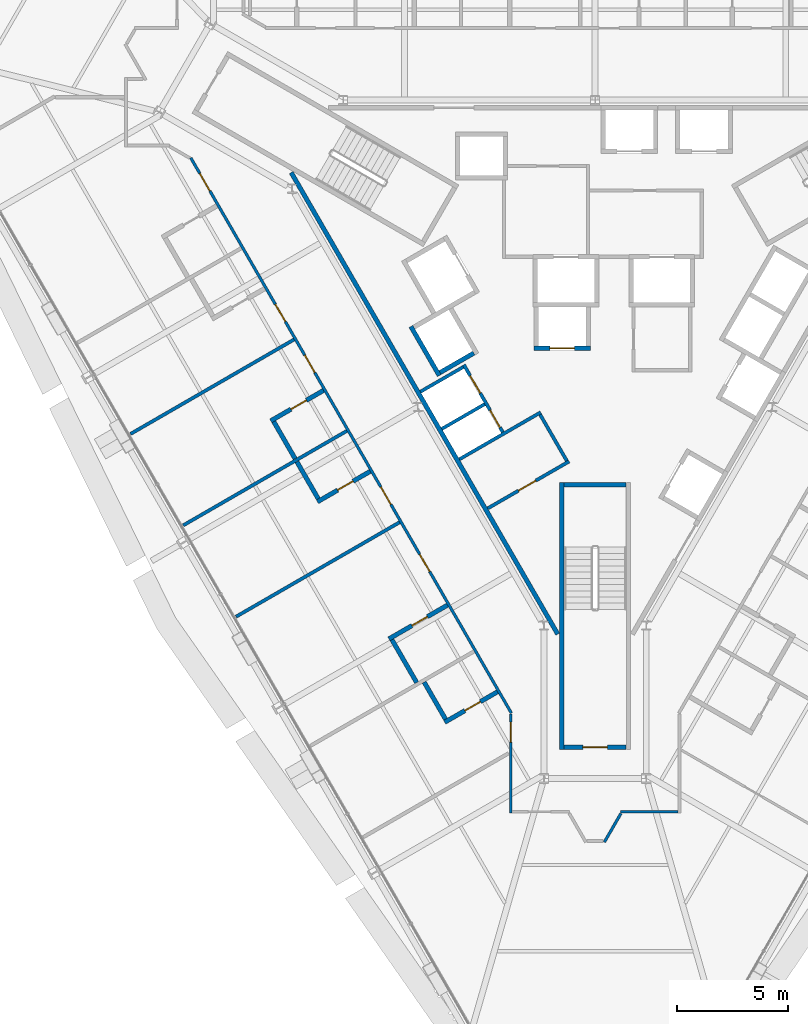
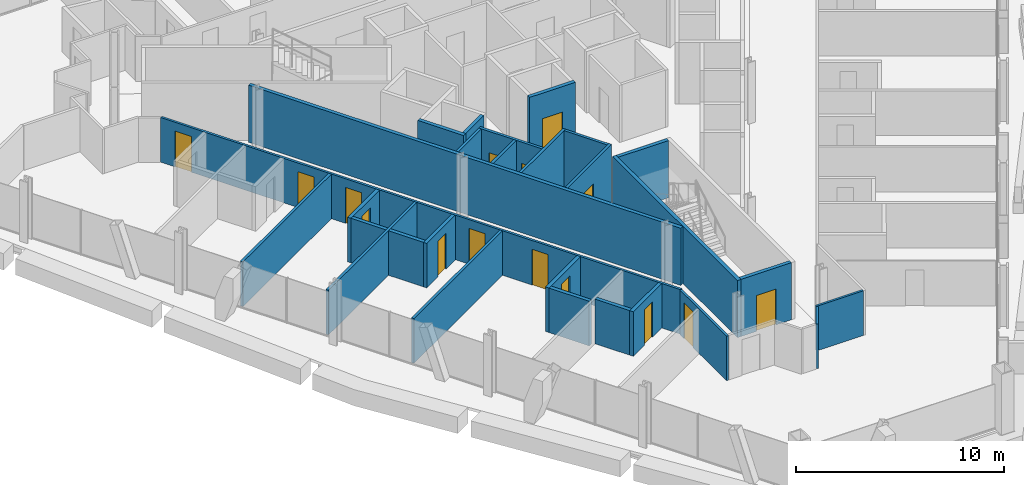
# One storey, part 13 of 20: 28 walls, 15 doors, 15 openings.
"""IFC4 building model written with IfcOpenShell, lengths in metres."""

from ifc_helpers import new_model, si_unit, direction, frame, frame_2d, origin, place, context, subcontext, project, spatial, rectangle, extrude, material, layer, layer_set, type_object, element, fill, save


model = new_model("IFC4")

# Units and contexts
model_context = context("Model", 3, precision=1e-05, world=origin(), true_north=direction((0.0, 1.0)))
body_context = subcontext(model_context, "Body", "Model", "MODEL_VIEW")
ifc_project = project(units=[si_unit("LENGTHUNIT", "METRE"), si_unit("AREAUNIT", "SQUARE_METRE"), si_unit("VOLUMEUNIT", "CUBIC_METRE"), si_unit("PLANEANGLEUNIT", "RADIAN"), si_unit("MASSUNIT", "GRAM", prefix="KILO")], contexts=[model_context])

# Site, building, storey
site_placement = place(None, origin())
site = spatial("IfcSite", under=ifc_project, at=site_placement, CompositionType="ELEMENT")
building_placement = place(site_placement, origin())
building = spatial("IfcBuilding", under=site, at=building_placement, Name="Verrane Prism Tower", CompositionType="ELEMENT")
storey_placement = place(building_placement, frame((0.0, 0.0, 69.199951171875)))
storey = spatial("IfcBuildingStorey", under=building, at=storey_placement, Name="L15", CompositionType="ELEMENT", Elevation=69.199951171875)

# Wall
ifc_material_1 = material(Name="Gypsum board partition", Category="other")
ifc_layer_1 = layer(ifc_material_1, 0.199951171875)
ifc_layer_set_1 = layer_set([ifc_layer_1], Name="CW-200 core boundary wall 2 h")
wall_type_1 = type_object("IfcWallType", Name="CW-200 core boundary wall 2 h", PredefinedType="PARTITIONING", material=ifc_layer_set_1)
wall_1_placement = place(storey_placement, frame((-13.66357421875, 5.946044921875, 0.0), z_axis=(0.0, 0.0, 1.0), x_axis=(0.499994327219, -0.866028678941, 0.0)))
element("IfcWall", 1, at=wall_1_placement, inside=storey, type_object=wall_type_1, Name="Core boundary wall CW3-001", PredefinedType="PARTITIONING", context=body_context, shape_type="SweptSolid", body=[
    extrude(rectangle(XDim=23.967529296875, YDim=0.199951171875, at=frame_2d((11.98388671875, 0.0))), origin(), (0.0, 0.0, 1.0), 3.35009765625),
])

# Wall, opening, door
ifc_material_2 = material(Name="Concrete C40/50", Category="concrete")
ifc_layer_2 = layer(ifc_material_2, 0.199951171875)
ifc_layer_set_2 = layer_set([ifc_layer_2], Name="CW-200 stair core wall concrete C40/50 3 h")
wall_type_2 = type_object("IfcWallType", Name="CW-200 stair core wall concrete C40/50 3 h", PredefinedType="PARTITIONING", material=ifc_layer_set_2)
wall_2_placement = place(storey_placement, frame((-1.39990234375, -19.89990234375, 0.0), z_axis=(0.0, 0.0, 1.0), x_axis=(1.0, 0.0, 0.0)))
wall_2 = element("IfcWall", 2, at=wall_2_placement, inside=storey, type_object=wall_type_2, Name="Stair 3 enclosure wall", PredefinedType="PARTITIONING", context=body_context, shape_type="SweptSolid", body=[
    extrude(rectangle(XDim=2.7998046875, YDim=0.199951171875, at=frame_2d((1.39990234375, 0.0))), origin(), (0.0, 0.0, 1.0), 3.35009765625),
])
opening_1_placement = place(wall_2_placement, frame((0.85009765625, 0.0, 0.0)))
opening_1 = element("IfcOpeningElement", 3, at=opening_1_placement, cuts=wall_2, Name="Opening D14502", PredefinedType="OPENING", context=body_context, shape_type="SweptSolid", body=[
    extrude(rectangle(XDim=1.10009765625, YDim=2.10009765625, at=frame_2d((0.550048828125, 1.050048828125))), frame((0.0, 0.10986328125, 0.0), z_axis=(0.0, -1.0, 0.0), x_axis=(1.0, 0.0, 0.0)), (0.0, 0.0, 1.0), 0.219970703125),
])
ifc_material_3 = material(Name="Timber veneered door leaf", Category="wood")
door_type_1 = type_object("IfcDoorType", Name="DR-1100x2100 FD90 single leaf stair", OperationType="NOTDEFINED", PredefinedType="DOOR", material=ifc_material_3)
door_1_placement = place(opening_1_placement, origin())
door_1 = element("IfcDoor", 4, at=door_1_placement, inside=storey, type_object=door_type_1, Name="Stair 3 door", OperationType="SINGLE_SWING_LEFT", OverallHeight=2.10009765625, OverallWidth=1.10009765625, PredefinedType="DOOR", context=body_context, shape_type="SweptSolid", body=[
    extrude(rectangle(XDim=1.10009765625, YDim=2.10009765625, at=frame_2d((0.550048828125, 1.050048828125))), frame((0.0, 0.02490234375, 0.0), z_axis=(0.0, -1.0, 0.0), x_axis=(1.0, 0.0, 0.0)), (0.0, 0.0, 1.0), 0.050048828125),
])
fill(opening_1, door_1)

# Walls
wall_3_placement = place(storey_placement, frame((-1.5, -8.0, 0.0), z_axis=(0.0, 0.0, 1.0), x_axis=(0.0, -1.0, 0.0)))
element("IfcWall", 5, at=wall_3_placement, inside=storey, type_object=wall_type_2, Name="Stair 3 enclosure wall", PredefinedType="PARTITIONING", context=body_context, shape_type="SweptSolid", body=[
    extrude(rectangle(XDim=12.0, YDim=0.199951171875, at=frame_2d((6.0, 0.0))), origin(), (0.0, 0.0, 1.0), 3.35009765625),
])
wall_4_placement = place(storey_placement, frame((-1.39990234375, -8.10009765625, 0.0), z_axis=(0.0, 0.0, 1.0), x_axis=(1.0, 0.0, 0.0)))
element("IfcWall", 6, at=wall_4_placement, inside=storey, type_object=wall_type_2, Name="Stair 3 enclosure wall", PredefinedType="PARTITIONING", context=body_context, shape_type="SweptSolid", body=[
    extrude(rectangle(XDim=2.7998046875, YDim=0.199951171875, at=frame_2d((1.39990234375, 0.0))), origin(), (0.0, 0.0, 1.0), 3.35009765625),
])

# Wall, opening, door
ifc_material_4 = material(Name="Gypsum board shaft wall assembly", Category="other")
ifc_layer_3 = layer(ifc_material_4, 0.199951171875)
ifc_layer_set_3 = layer_set([ifc_layer_3], Name="HW-200 lift shaft wall 2 h")
wall_type_3 = type_object("IfcWallType", Name="HW-200 lift shaft wall 2 h", PredefinedType="PARTITIONING", material=ifc_layer_set_3)
wall_5_placement = place(storey_placement, frame((-2.7548828125, -1.949951171875, 0.0), z_axis=(0.0, 0.0, 1.0), x_axis=(1.0, 0.0, 0.0)))
wall_5 = element("IfcWall", 7, at=wall_5_placement, inside=storey, type_object=wall_type_3, Name="Lift shaft wall", PredefinedType="PARTITIONING", context=body_context, shape_type="SweptSolid", body=[
    extrude(rectangle(XDim=2.5498046875, YDim=0.199951171875, at=frame_2d((1.27490234375, 0.0))), origin(), (0.0, 0.0, 1.0), 3.60009765625),
])
opening_2_placement = place(wall_5_placement, frame((0.72509765625, 0.0, 0.0)))
opening_2 = element("IfcOpeningElement", 8, at=opening_2_placement, cuts=wall_5, Name="Opening D14504", PredefinedType="OPENING", context=body_context, shape_type="SweptSolid", body=[
    extrude(rectangle(XDim=1.10009765625, YDim=2.10009765625, at=frame_2d((0.550048828125, 1.050048828125))), frame((0.0, 0.10986328125, 0.0), z_axis=(0.0, -1.0, 0.0), x_axis=(1.0, 0.0, 0.0)), (0.0, 0.0, 1.0), 0.219970703125),
])
ifc_material_5 = material(Name="Stainless steel sliding landing door", Category="steel")
door_type_2 = type_object("IfcDoorType", Name="LD-1100x2100 lift landing door FD90 sliding", OperationType="NOTDEFINED", PredefinedType="DOOR", material=ifc_material_5)
door_2_placement = place(opening_2_placement, origin())
door_2 = element("IfcDoor", 9, at=door_2_placement, inside=storey, type_object=door_type_2, Name="Bank A lift 2 landing door", OperationType="SLIDING_TO_RIGHT", OverallHeight=2.10009765625, OverallWidth=1.10009765625, PredefinedType="DOOR", context=body_context, shape_type="SweptSolid", body=[
    extrude(rectangle(XDim=1.10009765625, YDim=2.10009765625, at=frame_2d((0.550048828125, 1.050048828125))), frame((0.0, 0.02490234375, 0.0), z_axis=(0.0, -1.0, 0.0), x_axis=(1.0, 0.0, 0.0)), (0.0, 0.0, 1.0), 0.050048828125),
])
fill(opening_2, door_2)

# Walls
wall_6_placement = place(storey_placement, frame((-6.9697265625, -3.048095703125, 0.0), z_axis=(0.0, 0.0, 1.0), x_axis=(0.866036909293, 0.499980071345, 0.0)))
element("IfcWall", 10, at=wall_6_placement, inside=storey, type_object=wall_type_3, Name="Lift shaft wall", PredefinedType="PARTITIONING", context=body_context, shape_type="SweptSolid", body=[
    extrude(rectangle(XDim=1.75, YDim=0.199951171875, at=frame_2d((0.875, 0.0))), origin(), (0.0, 0.0, 1.0), 3.60009765625),
])
wall_7_placement = place(storey_placement, frame((-7.00634765625, -3.184814453125, 0.0), z_axis=(0.0, 0.0, 1.0), x_axis=(-0.499990435942, 0.866030925526, 0.0)))
element("IfcWall", 11, at=wall_7_placement, inside=storey, type_object=wall_type_3, Name="Lift shaft wall", PredefinedType="PARTITIONING", context=body_context, shape_type="SweptSolid", body=[
    extrude(rectangle(XDim=2.5498046875, YDim=0.199951171875, at=frame_2d((1.27490234375, 0.0))), origin(), (0.0, 0.0, 1.0), 3.60009765625),
])

# Wall, openings, doors
ifc_material_6 = material(Name="Gypsum board partition", Category="other")
ifc_layer_4 = layer(ifc_material_6, 0.125)
ifc_layer_set_4 = layer_set([ifc_layer_4], Name="PW-125 corridor wall 1 h")
wall_type_4 = type_object("IfcWallType", Name="PW-125 corridor wall 1 h", PredefinedType="PARTITIONING", material=ifc_layer_set_4)
wall_8_placement = place(storey_placement, frame((-3.765869140625, -18.358154296875, 0.0), z_axis=(0.0, 0.0, 1.0), x_axis=(-0.500003973642, 0.866023109589, 0.0)))
wall_8 = element("IfcWall", 12, at=wall_8_placement, inside=storey, type_object=wall_type_4, Name="Corridor wall 018", PredefinedType="PARTITIONING", context=body_context, shape_type="SweptSolid", body=[
    extrude(rectangle(XDim=28.826416015625, YDim=0.125, at=frame_2d((14.4130859375, 0.0))), origin(), (0.0, 0.0, 1.0), 2.613037109375),
])
opening_3_placement = place(wall_8_placement, frame((27.114013671875, 0.0, 0.0)))
opening_3 = element("IfcOpeningElement", 13, at=opening_3_placement, cuts=wall_8, Name="Opening D14032", PredefinedType="OPENING", context=body_context, shape_type="SweptSolid", body=[
    extrude(rectangle(XDim=0.89990234375, YDim=2.10009765625, at=frame_2d((0.449951171875, 1.050048828125))), frame((0.0, 0.072509765625, 0.0), z_axis=(0.0, -1.0, 0.0), x_axis=(1.0, 0.0, 0.0)), (0.0, 0.0, 1.0), 0.14501953125),
])
opening_4_placement = place(wall_8_placement, frame((20.322021484375, 0.0, 0.0)))
opening_4 = element("IfcOpeningElement", 14, at=opening_4_placement, cuts=wall_8, Name="Opening D14034", PredefinedType="OPENING", context=body_context, shape_type="SweptSolid", body=[
    extrude(rectangle(XDim=0.89990234375, YDim=2.10009765625, at=frame_2d((0.449951171875, 1.050048828125))), frame((0.0, 0.072509765625, 0.0), z_axis=(0.0, -1.0, 0.0), x_axis=(1.0, 0.0, 0.0)), (0.0, 0.0, 1.0), 0.14501953125),
])
opening_5_placement = place(wall_8_placement, frame((17.679931640625, 0.0, 0.0)))
opening_5 = element("IfcOpeningElement", 15, at=opening_5_placement, cuts=wall_8, Name="Opening D14036", PredefinedType="OPENING", context=body_context, shape_type="SweptSolid", body=[
    extrude(rectangle(XDim=0.89990234375, YDim=2.10009765625, at=frame_2d((0.449951171875, 1.050048828125))), frame((0.0, 0.072509765625, 0.0), z_axis=(0.0, -1.0, 0.0), x_axis=(1.0, 0.0, 0.0)), (0.0, 0.0, 1.0), 0.14501953125),
])
opening_6_placement = place(wall_8_placement, frame((10.8359375, 0.0, 0.0)))
opening_6 = element("IfcOpeningElement", 16, at=opening_6_placement, cuts=wall_8, Name="Opening D14038", PredefinedType="OPENING", context=body_context, shape_type="SweptSolid", body=[
    extrude(rectangle(XDim=0.89990234375, YDim=2.10009765625, at=frame_2d((0.449951171875, 1.050048828125))), frame((0.0, 0.072509765625, 0.0), z_axis=(0.0, -1.0, 0.0), x_axis=(1.0, 0.0, 0.0)), (0.0, 0.0, 1.0), 0.14501953125),
])
opening_7_placement = place(wall_8_placement, frame((7.342041015625, 0.0, 0.0)))
opening_7 = element("IfcOpeningElement", 17, at=opening_7_placement, cuts=wall_8, Name="Opening D14040", PredefinedType="OPENING", context=body_context, shape_type="SweptSolid", body=[
    extrude(rectangle(XDim=0.89990234375, YDim=2.10009765625, at=frame_2d((0.449951171875, 1.050048828125))), frame((0.0, 0.072509765625, 0.0), z_axis=(0.0, -1.0, 0.0), x_axis=(1.0, 0.0, 0.0)), (0.0, 0.0, 1.0), 0.14501953125),
])
ifc_material_7 = material(Name="Timber veneered door leaf", Category="wood")
door_type_3 = type_object("IfcDoorType", Name="DR-900x2100 FD20 single leaf unit", OperationType="NOTDEFINED", PredefinedType="DOOR", material=ifc_material_7)
door_3_placement = place(opening_3_placement, origin())
door_3 = element("IfcDoor", 18, at=door_3_placement, inside=storey, type_object=door_type_3, Name="Guest Room door", OperationType="SINGLE_SWING_LEFT", OverallHeight=2.10009765625, OverallWidth=0.89990234375, PredefinedType="DOOR", context=body_context, shape_type="SweptSolid", body=[
    extrude(rectangle(XDim=0.89990234375, YDim=2.10009765625, at=frame_2d((0.449951171875, 1.050048828125))), frame((0.0, 0.02490234375, 0.0), z_axis=(0.0, -1.0, 0.0), x_axis=(1.0, 0.0, 0.0)), (0.0, 0.0, 1.0), 0.050048828125),
])
fill(opening_3, door_3)
door_4_placement = place(opening_4_placement, origin())
door_4 = element("IfcDoor", 19, at=door_4_placement, inside=storey, type_object=door_type_3, Name="Guest Room door", OperationType="SINGLE_SWING_LEFT", OverallHeight=2.10009765625, OverallWidth=0.89990234375, PredefinedType="DOOR", context=body_context, shape_type="SweptSolid", body=[
    extrude(rectangle(XDim=0.89990234375, YDim=2.10009765625, at=frame_2d((0.449951171875, 1.050048828125))), frame((0.0, 0.02490234375, 0.0), z_axis=(0.0, -1.0, 0.0), x_axis=(1.0, 0.0, 0.0)), (0.0, 0.0, 1.0), 0.050048828125),
])
fill(opening_4, door_4)
door_5_placement = place(opening_5_placement, origin())
door_5 = element("IfcDoor", 20, at=door_5_placement, inside=storey, type_object=door_type_3, Name="Guest Room door", OperationType="SINGLE_SWING_LEFT", OverallHeight=2.10009765625, OverallWidth=0.89990234375, PredefinedType="DOOR", context=body_context, shape_type="SweptSolid", body=[
    extrude(rectangle(XDim=0.89990234375, YDim=2.10009765625, at=frame_2d((0.449951171875, 1.050048828125))), frame((0.0, 0.02490234375, 0.0), z_axis=(0.0, -1.0, 0.0), x_axis=(1.0, 0.0, 0.0)), (0.0, 0.0, 1.0), 0.050048828125),
])
fill(opening_5, door_5)
door_6_placement = place(opening_6_placement, origin())
door_6 = element("IfcDoor", 21, at=door_6_placement, inside=storey, type_object=door_type_3, Name="Guest Room door", OperationType="SINGLE_SWING_LEFT", OverallHeight=2.10009765625, OverallWidth=0.89990234375, PredefinedType="DOOR", context=body_context, shape_type="SweptSolid", body=[
    extrude(rectangle(XDim=0.89990234375, YDim=2.10009765625, at=frame_2d((0.449951171875, 1.050048828125))), frame((0.0, 0.02490234375, 0.0), z_axis=(0.0, -1.0, 0.0), x_axis=(1.0, 0.0, 0.0)), (0.0, 0.0, 1.0), 0.050048828125),
])
fill(opening_6, door_6)
door_7_placement = place(opening_7_placement, origin())
door_7 = element("IfcDoor", 22, at=door_7_placement, inside=storey, type_object=door_type_3, Name="Junior Suite door", OperationType="SINGLE_SWING_LEFT", OverallHeight=2.10009765625, OverallWidth=0.89990234375, PredefinedType="DOOR", context=body_context, shape_type="SweptSolid", body=[
    extrude(rectangle(XDim=0.89990234375, YDim=2.10009765625, at=frame_2d((0.449951171875, 1.050048828125))), frame((0.0, 0.02490234375, 0.0), z_axis=(0.0, -1.0, 0.0), x_axis=(1.0, 0.0, 0.0)), (0.0, 0.0, 1.0), 0.050048828125),
])
fill(opening_7, door_7)

# Wall, opening, door
wall_9_placement = place(storey_placement, frame((-3.797119140625, -22.859619140625, 0.0), z_axis=(0.0, 0.0, 1.0), x_axis=(0.0, 1.0, 0.0)))
wall_9 = element("IfcWall", 23, at=wall_9_placement, inside=storey, type_object=wall_type_4, Name="Corridor wall 045", PredefinedType="PARTITIONING", context=body_context, shape_type="SweptSolid", body=[
    extrude(rectangle(XDim=4.470703125, YDim=0.125, at=frame_2d((2.2353515625, 0.0))), origin(), (0.0, 0.0, 1.0), 2.613037109375),
])
opening_8_placement = place(wall_9_placement, frame((3.197509765625, 0.0, 0.0)))
opening_8 = element("IfcOpeningElement", 24, at=opening_8_placement, cuts=wall_9, Name="Opening D14042", PredefinedType="OPENING", context=body_context, shape_type="SweptSolid", body=[
    extrude(rectangle(XDim=0.89990234375, YDim=2.10009765625, at=frame_2d((0.449951171875, 1.050048828125))), frame((0.0, 0.072509765625, 0.0), z_axis=(0.0, -1.0, 0.0), x_axis=(1.0, 0.0, 0.0)), (0.0, 0.0, 1.0), 0.14501953125),
])
door_8_placement = place(opening_8_placement, origin())
door_8 = element("IfcDoor", 25, at=door_8_placement, inside=storey, type_object=door_type_3, Name="Guest Room door", OperationType="SINGLE_SWING_RIGHT", OverallHeight=2.10009765625, OverallWidth=0.89990234375, PredefinedType="DOOR", context=body_context, shape_type="SweptSolid", body=[
    extrude(rectangle(XDim=0.89990234375, YDim=2.10009765625, at=frame_2d((0.449951171875, 1.050048828125))), frame((0.0, 0.02490234375, 0.0), z_axis=(0.0, -1.0, 0.0), x_axis=(1.0, 0.0, 0.0)), (0.0, 0.0, 1.0), 0.050048828125),
])
fill(opening_8, door_8)

# Walls
wall_10_placement = place(storey_placement, frame((0.415771484375, -24.162109375, 0.0), z_axis=(0.0, 0.0, 1.0), x_axis=(0.499609040113, 0.866251006947, 0.0)))
element("IfcWall", 26, at=wall_10_placement, inside=storey, type_object=wall_type_4, Name="Corridor wall 050", PredefinedType="PARTITIONING", context=body_context, shape_type="SweptSolid", body=[
    extrude(rectangle(XDim=1.490966796875, YDim=0.125, at=frame_2d((0.74560546875, 0.0))), origin(), (0.0, 0.0, 1.0), 2.613037109375),
])
wall_11_placement = place(storey_placement, frame((1.140380859375, -22.797119140625, 0.0), z_axis=(0.0, 0.0, 1.0), x_axis=(1.0, 0.0, 0.0)))
element("IfcWall", 27, at=wall_11_placement, inside=storey, type_object=wall_type_4, Name="Corridor wall 051", PredefinedType="PARTITIONING", context=body_context, shape_type="SweptSolid", body=[
    extrude(rectangle(XDim=2.591552734375, YDim=0.125, at=frame_2d((1.2958984375, 0.0))), origin(), (0.0, 0.0, 1.0), 2.613037109375),
])
ifc_material_8 = material(Name="Gypsum board partition", Category="other")
ifc_layer_5 = layer(ifc_material_8, 0.14990234375)
ifc_layer_set_5 = layer_set([ifc_layer_5], Name="PW-150 demising wall 1 h")
wall_type_5 = type_object("IfcWallType", Name="PW-150 demising wall 1 h", PredefinedType="PARTITIONING", material=ifc_layer_set_5)
wall_12_placement = place(storey_placement, frame((-20.888671875, -5.808837890625, 0.0), z_axis=(0.0, 0.0, 1.0), x_axis=(0.866022790583, 0.50000452617, 0.0)))
element("IfcWall", 28, at=wall_12_placement, inside=storey, type_object=wall_type_5, Name="Demising wall 009", PredefinedType="PARTITIONING", context=body_context, shape_type="SweptSolid", body=[
    extrude(rectangle(XDim=8.4912109375, YDim=0.14990234375, at=frame_2d((4.24560546875, 0.0))), origin(), (0.0, 0.0, 1.0), 2.613037109375),
])
wall_13_placement = place(storey_placement, frame((-18.516845703125, -9.9169921875, 0.0), z_axis=(0.0, 0.0, 1.0), x_axis=(0.866017528739, 0.50001363973, 0.0)))
element("IfcWall", 29, at=wall_13_placement, inside=storey, type_object=wall_type_5, Name="Demising wall 016", PredefinedType="PARTITIONING", context=body_context, shape_type="SweptSolid", body=[
    extrude(rectangle(XDim=8.491455078125, YDim=0.14990234375, at=frame_2d((4.24560546875, 0.0))), origin(), (0.0, 0.0, 1.0), 2.613037109375),
])
wall_14_placement = place(storey_placement, frame((-16.14501953125, -14.025146484375, 0.0), z_axis=(0.0, 0.0, 1.0), x_axis=(0.866024716685, 0.500001190089, 0.0)))
element("IfcWall", 30, at=wall_14_placement, inside=storey, type_object=wall_type_5, Name="Demising wall 022", PredefinedType="PARTITIONING", context=body_context, shape_type="SweptSolid", body=[
    extrude(rectangle(XDim=8.49169921875, YDim=0.14990234375, at=frame_2d((4.245849609375, 0.0))), origin(), (0.0, 0.0, 1.0), 2.613037109375),
])
ifc_material_9 = material(Name="Gypsum board partition", Category="other")
ifc_layer_6 = layer(ifc_material_9, 0.199951171875)
ifc_layer_set_6 = layer_set([ifc_layer_6], Name="PW-200 plumbing wall")
wall_type_6 = type_object("IfcWallType", Name="PW-200 plumbing wall", PredefinedType="PARTITIONING", material=ifc_layer_set_6)
wall_15_placement = place(storey_placement, frame((-14.447021484375, -5.257568359375, 0.0), z_axis=(0.0, 0.0, 1.0), x_axis=(0.499667418833, -0.866217334482, 0.0)))
element("IfcWall", 31, at=wall_15_placement, inside=storey, type_object=wall_type_6, Name="Plumbing wall 028", PredefinedType="PARTITIONING", context=body_context, shape_type="SweptSolid", body=[
    extrude(rectangle(XDim=1.920166015625, YDim=0.199951171875, at=frame_2d((0.9599609375, 0.0))), origin(), (0.0, 0.0, 1.0), 2.613037109375),
])

# Wall, opening, door
wall_16_placement = place(storey_placement, frame((-12.213134765625, -3.852294921875, 0.0), z_axis=(0.0, 0.0, 1.0), x_axis=(-0.866005850709, -0.50003386539, 0.0)))
wall_16 = element("IfcWall", 32, at=wall_16_placement, inside=storey, type_object=wall_type_6, Name="Plumbing wall 029", PredefinedType="PARTITIONING", context=body_context, shape_type="SweptSolid", body=[
    extrude(rectangle(XDim=2.737060546875, YDim=0.199951171875, at=frame_2d((1.36865234375, 0.0))), origin(), (0.0, 0.0, 1.0), 2.613037109375),
])
opening_9_placement = place(wall_16_placement, frame((0.88720703125, 0.0, 0.0)))
opening_9 = element("IfcOpeningElement", 33, at=opening_9_placement, cuts=wall_16, Name="Opening D14037", PredefinedType="OPENING", context=body_context, shape_type="SweptSolid", body=[
    extrude(rectangle(XDim=0.800048828125, YDim=2.10009765625, at=frame_2d((0.39990234375, 1.050048828125))), frame((0.0, 0.10986328125, 0.0), z_axis=(0.0, -1.0, 0.0), x_axis=(1.0, 0.0, 0.0)), (0.0, 0.0, 1.0), 0.219970703125),
])
ifc_material_10 = material(Name="Timber veneered door leaf", Category="wood")
door_type_4 = type_object("IfcDoorType", Name="DR-800x2100 single leaf bath", OperationType="NOTDEFINED", PredefinedType="DOOR", material=ifc_material_10)
door_9_placement = place(opening_9_placement, origin())
door_9 = element("IfcDoor", 34, at=door_9_placement, inside=storey, type_object=door_type_4, Name="En-Suite door", OperationType="SINGLE_SWING_RIGHT", OverallHeight=2.10009765625, OverallWidth=0.800048828125, PredefinedType="DOOR", context=body_context, shape_type="SweptSolid", body=[
    extrude(rectangle(XDim=0.800048828125, YDim=2.10009765625, at=frame_2d((0.39990234375, 1.050048828125))), frame((0.0, 0.02490234375, 0.0), z_axis=(0.0, -1.0, 0.0), x_axis=(1.0, 0.0, 0.0)), (0.0, 0.0, 1.0), 0.050048828125),
])
fill(opening_9, door_9)

# Wall
wall_17_placement = place(storey_placement, frame((-13.407470703125, -7.058837890625, 0.0), z_axis=(0.0, 0.0, 1.0), x_axis=(0.499993829411, -0.866028966346, 0.0)))
element("IfcWall", 35, at=wall_17_placement, inside=storey, type_object=wall_type_6, Name="Plumbing wall 030", PredefinedType="PARTITIONING", context=body_context, shape_type="SweptSolid", body=[
    extrude(rectangle(XDim=1.9208984375, YDim=0.199951171875, at=frame_2d((0.96044921875, 0.0))), origin(), (0.0, 0.0, 1.0), 2.613037109375),
])

# Wall, opening, door
wall_18_placement = place(storey_placement, frame((-12.483642578125, -8.85888671875, 0.0), z_axis=(0.0, 0.0, 1.0), x_axis=(0.866028150195, 0.499995243048, 0.0)))
wall_18 = element("IfcWall", 36, at=wall_18_placement, inside=storey, type_object=wall_type_6, Name="Plumbing wall 033", PredefinedType="PARTITIONING", context=body_context, shape_type="SweptSolid", body=[
    extrude(rectangle(XDim=2.7373046875, YDim=0.199951171875, at=frame_2d((1.36865234375, 0.0))), origin(), (0.0, 0.0, 1.0), 2.613037109375),
])
opening_10_placement = place(wall_18_placement, frame((1.050048828125, 0.0, 0.0)))
opening_10 = element("IfcOpeningElement", 37, at=opening_10_placement, cuts=wall_18, Name="Opening D14039", PredefinedType="OPENING", context=body_context, shape_type="SweptSolid", body=[
    extrude(rectangle(XDim=0.800048828125, YDim=2.10009765625, at=frame_2d((0.39990234375, 1.050048828125))), frame((0.0, 0.10986328125, 0.0), z_axis=(0.0, -1.0, 0.0), x_axis=(1.0, 0.0, 0.0)), (0.0, 0.0, 1.0), 0.219970703125),
])
door_10_placement = place(opening_10_placement, origin())
door_10 = element("IfcDoor", 38, at=door_10_placement, inside=storey, type_object=door_type_4, Name="En-Suite door", OperationType="SINGLE_SWING_LEFT", OverallHeight=2.10009765625, OverallWidth=0.800048828125, PredefinedType="DOOR", context=body_context, shape_type="SweptSolid", body=[
    extrude(rectangle(XDim=0.800048828125, YDim=2.10009765625, at=frame_2d((0.39990234375, 1.050048828125))), frame((0.0, 0.02490234375, 0.0), z_axis=(0.0, -1.0, 0.0), x_axis=(1.0, 0.0, 0.0)), (0.0, 0.0, 1.0), 0.050048828125),
])
fill(opening_10, door_10)

# Wall
wall_19_placement = place(storey_placement, frame((-9.134033203125, -15.060546875, 0.0), z_axis=(0.0, 0.0, 1.0), x_axis=(0.500092923031, -0.865971748, 0.0)))
element("IfcWall", 39, at=wall_19_placement, inside=storey, type_object=wall_type_6, Name="Plumbing wall 036", PredefinedType="PARTITIONING", context=body_context, shape_type="SweptSolid", body=[
    extrude(rectangle(XDim=2.224609375, YDim=0.199951171875, at=frame_2d((1.1123046875, 0.0))), origin(), (0.0, 0.0, 1.0), 2.613037109375),
])

# Wall, opening, door
wall_20_placement = place(storey_placement, frame((-6.64013671875, -13.50537109375, 0.0), z_axis=(0.0, 0.0, 1.0), x_axis=(-0.866038344573, -0.499977585228, 0.0)))
wall_20 = element("IfcWall", 40, at=wall_20_placement, inside=storey, type_object=wall_type_6, Name="Plumbing wall 037", PredefinedType="PARTITIONING", context=body_context, shape_type="SweptSolid", body=[
    extrude(rectangle(XDim=3.037353515625, YDim=0.199951171875, at=frame_2d((1.5185546875, 0.0))), origin(), (0.0, 0.0, 1.0), 2.613037109375),
])
opening_11_placement = place(wall_20_placement, frame((1.037353515625, 0.0, 0.0)))
opening_11 = element("IfcOpeningElement", 41, at=opening_11_placement, cuts=wall_20, Name="Opening D14041", PredefinedType="OPENING", context=body_context, shape_type="SweptSolid", body=[
    extrude(rectangle(XDim=0.800048828125, YDim=2.10009765625, at=frame_2d((0.39990234375, 1.050048828125))), frame((0.0, 0.10986328125, 0.0), z_axis=(0.0, -1.0, 0.0), x_axis=(1.0, 0.0, 0.0)), (0.0, 0.0, 1.0), 0.219970703125),
])
door_11_placement = place(opening_11_placement, origin())
door_11 = element("IfcDoor", 42, at=door_11_placement, inside=storey, type_object=door_type_4, Name="En-Suite door", OperationType="SINGLE_SWING_RIGHT", OverallHeight=2.10009765625, OverallWidth=0.800048828125, PredefinedType="DOOR", context=body_context, shape_type="SweptSolid", body=[
    extrude(rectangle(XDim=0.800048828125, YDim=2.10009765625, at=frame_2d((0.39990234375, 1.050048828125))), frame((0.0, 0.02490234375, 0.0), z_axis=(0.0, -1.0, 0.0), x_axis=(1.0, 0.0, 0.0)), (0.0, 0.0, 1.0), 0.050048828125),
])
fill(opening_11, door_11)

# Wall
wall_21_placement = place(storey_placement, frame((-7.6865234375, -16.967041015625, 0.0), z_axis=(0.0, 0.0, 1.0), x_axis=(0.500026156197, -0.86601030197, 0.0)))
element("IfcWall", 43, at=wall_21_placement, inside=storey, type_object=wall_type_6, Name="Plumbing wall 040", PredefinedType="PARTITIONING", context=body_context, shape_type="SweptSolid", body=[
    extrude(rectangle(XDim=1.92529296875, YDim=0.199951171875, at=frame_2d((0.962646484375, 0.0))), origin(), (0.0, 0.0, 1.0), 2.613037109375),
])

# Wall, opening, door
wall_22_placement = place(storey_placement, frame((-6.760498046875, -18.77099609375, 0.0), z_axis=(0.0, 0.0, 1.0), x_axis=(0.866005850709, 0.50003386539, 0.0)))
wall_22 = element("IfcWall", 44, at=wall_22_placement, inside=storey, type_object=wall_type_6, Name="Plumbing wall 041", PredefinedType="PARTITIONING", context=body_context, shape_type="SweptSolid", body=[
    extrude(rectangle(XDim=2.737060546875, YDim=0.199951171875, at=frame_2d((1.36865234375, 0.0))), origin(), (0.0, 0.0, 1.0), 2.613037109375),
])
opening_12_placement = place(wall_22_placement, frame((1.050048828125, 0.0, 0.0)))
opening_12 = element("IfcOpeningElement", 45, at=opening_12_placement, cuts=wall_22, Name="Opening D14043", PredefinedType="OPENING", context=body_context, shape_type="SweptSolid", body=[
    extrude(rectangle(XDim=0.800048828125, YDim=2.10009765625, at=frame_2d((0.39990234375, 1.050048828125))), frame((0.0, 0.10986328125, 0.0), z_axis=(0.0, -1.0, 0.0), x_axis=(1.0, 0.0, 0.0)), (0.0, 0.0, 1.0), 0.219970703125),
])
door_12_placement = place(opening_12_placement, origin())
door_12 = element("IfcDoor", 46, at=door_12_placement, inside=storey, type_object=door_type_4, Name="En-Suite door", OperationType="SINGLE_SWING_LEFT", OverallHeight=2.10009765625, OverallWidth=0.800048828125, PredefinedType="DOOR", context=body_context, shape_type="SweptSolid", body=[
    extrude(rectangle(XDim=0.800048828125, YDim=2.10009765625, at=frame_2d((0.39990234375, 1.050048828125))), frame((0.0, 0.02490234375, 0.0), z_axis=(0.0, -1.0, 0.0), x_axis=(1.0, 0.0, 0.0)), (0.0, 0.0, 1.0), 0.050048828125),
])
fill(opening_12, door_12)

# Walls
ifc_material_11 = material(Name="Gypsum board partition", Category="other")
ifc_layer_7 = layer(ifc_material_11, 0.14990234375)
ifc_layer_set_7 = layer_set([ifc_layer_7], Name="RS-150 riser enclosure wall 1 h")
wall_type_7 = type_object("IfcWallType", Name="RS-150 riser enclosure wall 1 h", PredefinedType="PARTITIONING", material=ifc_layer_set_7)
wall_23_placement = place(storey_placement, frame((-7.8564453125, -3.912109375, 0.0), z_axis=(0.0, 0.0, 1.0), x_axis=(0.865971748, 0.500092923031, 0.0)))
element("IfcWall", 47, at=wall_23_placement, inside=storey, type_object=wall_type_7, Name="Riser wall RS3-001", PredefinedType="PARTITIONING", context=body_context, shape_type="SweptSolid", body=[
    extrude(rectangle(XDim=2.224609375, YDim=0.14990234375, at=frame_2d((1.1123046875, 0.0))), origin(), (0.0, 0.0, 1.0), 3.35009765625),
])
wall_24_placement = place(storey_placement, frame((-6.892333984375, -5.58203125, 0.0), z_axis=(0.0, 0.0, 1.0), x_axis=(0.865944298464, 0.500140452231, 0.0)))
element("IfcWall", 48, at=wall_24_placement, inside=storey, type_object=wall_type_7, Name="Riser wall RS3-002", PredefinedType="PARTITIONING", context=body_context, shape_type="SweptSolid", body=[
    extrude(rectangle(XDim=2.224365234375, YDim=0.14990234375, at=frame_2d((1.1123046875, 0.0))), origin(), (0.0, 0.0, 1.0), 3.35009765625),
])
wall_25_placement = place(storey_placement, frame((-6.10009765625, -6.945556640625, 0.0), z_axis=(0.0, 0.0, 1.0), x_axis=(0.866038200431, 0.499977834903, 0.0)))
element("IfcWall", 49, at=wall_25_placement, inside=storey, type_object=wall_type_7, Name="Riser wall RS3-003", PredefinedType="PARTITIONING", context=body_context, shape_type="SweptSolid", body=[
    extrude(rectangle(XDim=4.220458984375, YDim=0.14990234375, at=frame_2d((2.1103515625, 0.0))), origin(), (0.0, 0.0, 1.0), 3.35009765625),
])

# Wall, openings, doors
wall_26_placement = place(storey_placement, frame((-4.152099609375, -5.728759765625, 0.0), z_axis=(0.0, 0.0, 1.0), x_axis=(-0.500024287448, 0.866011380966, 0.0)))
wall_26 = element("IfcWall", 50, at=wall_26_placement, inside=storey, type_object=wall_type_7, Name="Riser wall RS3-004", PredefinedType="PARTITIONING", context=body_context, shape_type="SweptSolid", body=[
    extrude(rectangle(XDim=3.500732421875, YDim=0.14990234375, at=frame_2d((1.75048828125, 0.0))), origin(), (0.0, 0.0, 1.0), 3.35009765625),
])
opening_13_placement = place(wall_26_placement, frame((2.025634765625, 0.0, 0.0)))
opening_13 = element("IfcOpeningElement", 51, at=opening_13_placement, cuts=wall_26, Name="Opening D14512", PredefinedType="OPENING", context=body_context, shape_type="SweptSolid", body=[
    extrude(rectangle(XDim=0.89990234375, YDim=2.10009765625, at=frame_2d((0.449951171875, 1.050048828125))), frame((0.0, 0.0849609375, 0.0), z_axis=(0.0, -1.0, 0.0), x_axis=(1.0, 0.0, 0.0)), (0.0, 0.0, 1.0), 0.169921875),
])
opening_14_placement = place(wall_26_placement, frame((0.247802734375, 0.0, 0.0)))
opening_14 = element("IfcOpeningElement", 52, at=opening_14_placement, cuts=wall_26, Name="Opening D14513", PredefinedType="OPENING", context=body_context, shape_type="SweptSolid", body=[
    extrude(rectangle(XDim=0.89990234375, YDim=2.10009765625, at=frame_2d((0.449951171875, 1.050048828125))), frame((0.0, 0.0849609375, 0.0), z_axis=(0.0, -1.0, 0.0), x_axis=(1.0, 0.0, 0.0)), (0.0, 0.0, 1.0), 0.169921875),
])
ifc_material_12 = material(Name="Timber veneered door leaf", Category="wood")
door_type_5 = type_object("IfcDoorType", Name="DR-900x2100 FD60 single leaf riser", OperationType="NOTDEFINED", PredefinedType="DOOR", material=ifc_material_12)
door_13_placement = place(opening_13_placement, origin())
door_13 = element("IfcDoor", 53, at=door_13_placement, inside=storey, type_object=door_type_5, Name="Riser door D14512", OperationType="SINGLE_SWING_RIGHT", OverallHeight=2.10009765625, OverallWidth=0.89990234375, PredefinedType="DOOR", context=body_context, shape_type="SweptSolid", body=[
    extrude(rectangle(XDim=0.89990234375, YDim=2.10009765625, at=frame_2d((0.449951171875, 1.050048828125))), frame((0.0, 0.02490234375, 0.0), z_axis=(0.0, -1.0, 0.0), x_axis=(1.0, 0.0, 0.0)), (0.0, 0.0, 1.0), 0.050048828125),
])
fill(opening_13, door_13)
door_14_placement = place(opening_14_placement, origin())
door_14 = element("IfcDoor", 54, at=door_14_placement, inside=storey, type_object=door_type_5, Name="Riser door D14513", OperationType="SINGLE_SWING_LEFT", OverallHeight=2.10009765625, OverallWidth=0.89990234375, PredefinedType="DOOR", context=body_context, shape_type="SweptSolid", body=[
    extrude(rectangle(XDim=0.89990234375, YDim=2.10009765625, at=frame_2d((0.449951171875, 1.050048828125))), frame((0.0, 0.02490234375, 0.0), z_axis=(0.0, -1.0, 0.0), x_axis=(1.0, 0.0, 0.0)), (0.0, 0.0, 1.0), 0.050048828125),
])
fill(opening_14, door_14)

# Wall, opening, door
wall_27_placement = place(storey_placement, frame((-4.824951171875, -9.153564453125, 0.0), z_axis=(0.0, 0.0, 1.0), x_axis=(0.866023738697, 0.500002884005, 0.0)))
wall_27 = element("IfcWall", 55, at=wall_27_placement, inside=storey, type_object=wall_type_7, Name="Riser wall RS3-005", PredefinedType="PARTITIONING", context=body_context, shape_type="SweptSolid", body=[
    extrude(rectangle(XDim=4.22021484375, YDim=0.14990234375, at=frame_2d((2.110107421875, 0.0))), origin(), (0.0, 0.0, 1.0), 3.35009765625),
])
opening_15_placement = place(wall_27_placement, frame((1.594970703125, 0.0, 0.0)))
opening_15 = element("IfcOpeningElement", 56, at=opening_15_placement, cuts=wall_27, Name="Opening D14514", PredefinedType="OPENING", context=body_context, shape_type="SweptSolid", body=[
    extrude(rectangle(XDim=0.89990234375, YDim=2.10009765625, at=frame_2d((0.449951171875, 1.050048828125))), frame((0.0, 0.0849609375, 0.0), z_axis=(0.0, -1.0, 0.0), x_axis=(1.0, 0.0, 0.0)), (0.0, 0.0, 1.0), 0.169921875),
])
ifc_material_13 = material(Name="Timber veneered door leaf", Category="wood")
door_type_6 = type_object("IfcDoorType", Name="DR-900x2100 FD20 single leaf store", OperationType="NOTDEFINED", PredefinedType="DOOR", material=ifc_material_13)
door_15_placement = place(opening_15_placement, origin())
door_15 = element("IfcDoor", 57, at=door_15_placement, inside=storey, type_object=door_type_6, Name="Room door D14514", OperationType="SINGLE_SWING_LEFT", OverallHeight=2.10009765625, OverallWidth=0.89990234375, PredefinedType="DOOR", context=body_context, shape_type="SweptSolid", body=[
    extrude(rectangle(XDim=0.89990234375, YDim=2.10009765625, at=frame_2d((0.449951171875, 1.050048828125))), frame((0.0, 0.02490234375, 0.0), z_axis=(0.0, -1.0, 0.0), x_axis=(1.0, 0.0, 0.0)), (0.0, 0.0, 1.0), 0.050048828125),
])
fill(opening_15, door_15)

# Wall
wall_28_placement = place(storey_placement, frame((-2.472412109375, -4.93798828125, 0.0), z_axis=(0.0, 0.0, 1.0), x_axis=(0.500045362686, -0.865999212041, 0.0)))
element("IfcWall", 58, at=wall_28_placement, inside=storey, type_object=wall_type_7, Name="Riser wall RS3-006", PredefinedType="PARTITIONING", context=body_context, shape_type="SweptSolid", body=[
    extrude(rectangle(XDim=2.399658203125, YDim=0.14990234375, at=frame_2d((1.19970703125, 0.0))), origin(), (0.0, 0.0, 1.0), 3.35009765625),
])

save(model, "model.ifc")
